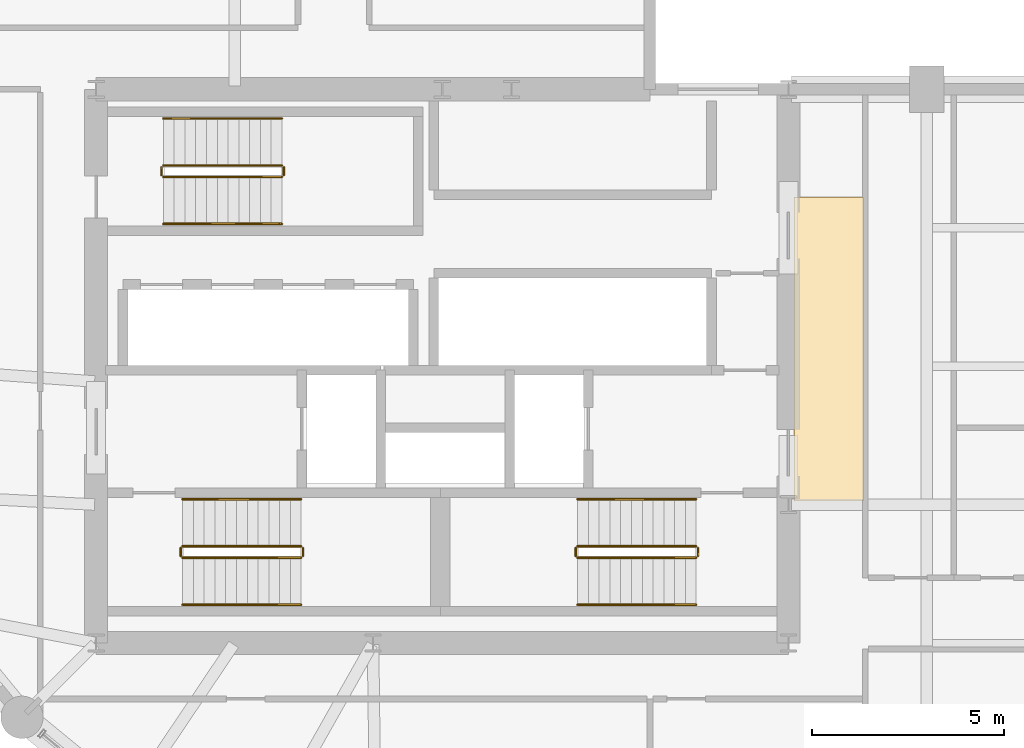
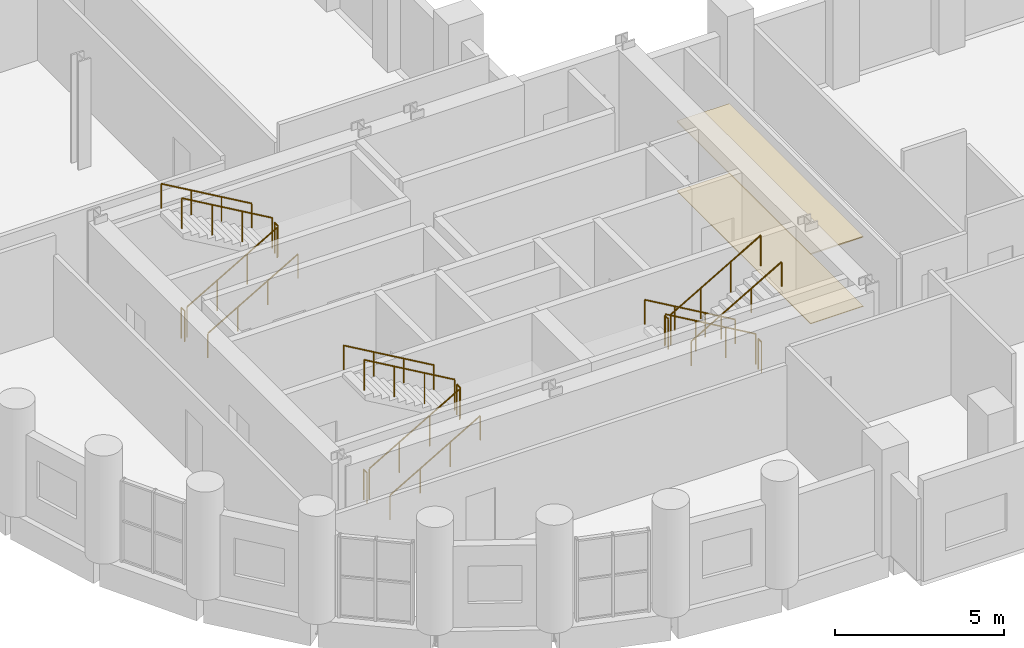
# One storey, part 12 of 12: 18 railings, 2 coverings.
"""IFC4 building model written with IfcOpenShell, lengths in metres."""

from ifc_helpers import new_model, si_unit, direction, frame, origin, origin_2d, place, context, subcontext, project, spatial, polyline, circle, outline, extrude, material, layer, layer_set, type_object, element, save


model = new_model("IFC4")

# Units and contexts
model_context = context("Model", 3, precision=1e-05, world=origin(), true_north=direction((0.0, 1.0)))
body_context = subcontext(model_context, "Body", "Model", "MODEL_VIEW")
ifc_project = project(units=[si_unit("LENGTHUNIT", "METRE"), si_unit("AREAUNIT", "SQUARE_METRE"), si_unit("VOLUMEUNIT", "CUBIC_METRE"), si_unit("PLANEANGLEUNIT", "RADIAN"), si_unit("MASSUNIT", "GRAM", prefix="KILO")], contexts=[model_context])

# Site, building, storey
site_placement = place(None, origin())
site = spatial("IfcSite", under=ifc_project, at=site_placement, CompositionType="ELEMENT")
building_placement = place(site_placement, origin())
building = spatial("IfcBuilding", under=site, at=building_placement, Name="Solnavia Interchange Tower", CompositionType="ELEMENT")
storey_placement = place(building_placement, frame((0.0, 0.0, 27.89990234375)))
storey = spatial("IfcBuildingStorey", under=building, at=storey_placement, Name="L06", CompositionType="ELEMENT", Elevation=27.89990234375)

# Coverings
ifc_material_1 = material(Name="Perforated Mineral-Fibre & Gypsum Ceiling", Category="gypsum")
ifc_layer_1 = layer(ifc_material_1, 0.0400390625)
ifc_layer_set_1 = layer_set([ifc_layer_1], Name="Perforated Mineral-Fibre & Gypsum Ceiling")
covering_type_1 = type_object("IfcCoveringType", Name="Covering-Ceiling-Acoustic40", PredefinedType="CEILING", material=ifc_layer_set_1)
covering_1_placement = place(storey_placement, frame((0.0, 0.0, 2.5)))
element("IfcCovering", 1, at=covering_1_placement, inside=storey, type_object=covering_type_1, Name="CLG-L06-01 Circulation suspended acoustic ceiling", PredefinedType="CEILING", context=body_context, shape_type="SweptSolid", body=[
    extrude(outline(polyline([(32.550048828125, 14.5), (34.35009765625, 14.5), (34.35009765625, 22.39990234375), (32.550048828125, 22.39990234375), (32.550048828125, 14.5)])), origin(), (0.0, 0.0, 1.0), 0.0400390625),
])
ifc_material_2 = material(Name="Polished Alicante Stone Terrazzo", Category="masonry")
ifc_layer_2 = layer(ifc_material_2, 0.02490234375)
ifc_layer_set_2 = layer_set([ifc_layer_2], Name="Polished Alicante Stone Terrazzo")
covering_type_2 = type_object("IfcCoveringType", Name="Covering-Flooring-Terrazzo25", PredefinedType="FLOORING", material=ifc_layer_set_2)
covering_2_placement = place(storey_placement, origin())
element("IfcCovering", 2, at=covering_2_placement, inside=storey, type_object=covering_type_2, Name="FLR-L06-01 Circulation floor finish", PredefinedType="FLOORING", context=body_context, shape_type="SweptSolid", body=[
    extrude(outline(polyline([(32.550048828125, 14.5), (34.35009765625, 14.5), (34.35009765625, 22.39990234375), (32.550048828125, 22.39990234375), (32.550048828125, 14.5)])), origin(), (0.0, 0.0, 1.0), 0.025146484375),
])

# Railings
ifc_material_3 = material(Name="Painted Steel Balustrade", Category="steel")
railing_type_1 = type_object("IfcRailingType", Name="Railing-StairGuard-1100", PredefinedType="GUARDRAIL", material=ifc_material_3)
railing_1_placement = place(storey_placement, frame((16.64990234375, 13.02001953125, 0.16259765625)))
element("IfcRailing", 3, at=railing_1_placement, inside=storey, type_object=railing_type_1, Name="L06 ST-1 stair guard 1", PredefinedType="GUARDRAIL", context=body_context, shape_type="SweptSolid", body=[
    extrude(circle(Radius=0.02392578125, at=origin_2d()), frame((0.0, 0.0, 1.09619140625), z_axis=(0.864890721111, 0.0, 0.501960198159), x_axis=(0.0, 1.0, 0.0)), (0.0, 0.0, 1.0), 3.561279296875),
    extrude(circle(Radius=0.02099609375, at=origin_2d()), origin(), (0.0, 0.0, 1.0), 1.072021484375),
    extrude(circle(Radius=0.02099609375, at=origin_2d()), frame((1.026611328125, 0.0, 0.595947265625)), (0.0, 0.0, 1.0), 1.072021484375),
    extrude(circle(Radius=0.02099609375, at=origin_2d()), frame((2.053466796875, 0.0, 1.191650390625)), (0.0, 0.0, 1.0), 1.072021484375),
    extrude(circle(Radius=0.02099609375, at=origin_2d()), frame((3.080078125, 0.0, 1.78759765625)), (0.0, 0.0, 1.0), 1.072021484375),
])
railing_2_placement = place(storey_placement, frame((19.780029296875, 13.070068359375, 1.9501953125)))
element("IfcRailing", 4, at=railing_2_placement, inside=storey, type_object=railing_type_1, Name="L06 ST-1 stair guard 2", PredefinedType="GUARDRAIL", context=body_context, shape_type="SweptSolid", body=[
    extrude(circle(Radius=0.02392578125, at=origin_2d()), frame((0.0, 0.0, 1.09619140625), z_axis=(0.0, 1.0, 0.0), x_axis=(-1.0, 0.0, 0.0)), (0.0, 0.0, 1.0), 0.199951171875),
    extrude(circle(Radius=0.02099609375, at=origin_2d()), origin(), (0.0, 0.0, 1.0), 1.072021484375),
    extrude(circle(Radius=0.02099609375, at=origin_2d()), frame((0.0, 0.199951171875, 0.0)), (0.0, 0.0, 1.0), 1.072021484375),
])
railing_3_placement = place(storey_placement, frame((19.72998046875, 13.320068359375, 2.112548828125)))
element("IfcRailing", 5, at=railing_3_placement, inside=storey, type_object=railing_type_1, Name="L06 ST-1 stair guard 3", PredefinedType="GUARDRAIL", context=body_context, shape_type="SweptSolid", body=[
    extrude(circle(Radius=0.02392578125, at=origin_2d()), frame((0.0, 0.0, 1.09619140625), z_axis=(-0.864890721111, 0.0, 0.501960198159), x_axis=(0.0, -1.0, 0.0)), (0.0, 0.0, 1.0), 3.561279296875),
    extrude(circle(Radius=0.02099609375, at=origin_2d()), origin(), (0.0, 0.0, 1.0), 1.072021484375),
    extrude(circle(Radius=0.02099609375, at=origin_2d()), frame((-1.026611328125, 0.0, 0.595947265625)), (0.0, 0.0, 1.0), 1.072021484375),
    extrude(circle(Radius=0.02099609375, at=origin_2d()), frame((-2.053466796875, 0.0, 1.191650390625)), (0.0, 0.0, 1.0), 1.072021484375),
    extrude(circle(Radius=0.02099609375, at=origin_2d()), frame((-3.080078125, 0.0, 1.78759765625)), (0.0, 0.0, 1.0), 1.072021484375),
])
railing_4_placement = place(storey_placement, frame((16.60009765625, 13.070068359375, 0.0)))
element("IfcRailing", 6, at=railing_4_placement, inside=storey, type_object=railing_type_1, Name="L06 ST-1 stair guard 4", PredefinedType="GUARDRAIL", context=body_context, shape_type="SweptSolid", body=[
    extrude(circle(Radius=0.02392578125, at=origin_2d()), frame((0.0, 0.0, 1.09619140625), z_axis=(0.0, 1.0, 0.0), x_axis=(-1.0, 0.0, 0.0)), (0.0, 0.0, 1.0), 0.199951171875),
    extrude(circle(Radius=0.02099609375, at=origin_2d()), origin(), (0.0, 0.0, 1.0), 1.072021484375),
    extrude(circle(Radius=0.02099609375, at=origin_2d()), frame((0.0, 0.199951171875, 0.0)), (0.0, 0.0, 1.0), 1.072021484375),
])
railing_5_placement = place(storey_placement, frame((30.0, 13.320068359375, 0.16259765625)))
element("IfcRailing", 7, at=railing_5_placement, inside=storey, type_object=railing_type_1, Name="L06 ST-2 stair guard 1", PredefinedType="GUARDRAIL", context=body_context, shape_type="SweptSolid", body=[
    extrude(circle(Radius=0.02392578125, at=origin_2d()), frame((0.0, 0.0, 1.09619140625), z_axis=(-0.864890721111, 0.0, 0.501960198159), x_axis=(0.0, -1.0, 0.0)), (0.0, 0.0, 1.0), 3.561279296875),
    extrude(circle(Radius=0.02099609375, at=origin_2d()), origin(), (0.0, 0.0, 1.0), 1.072021484375),
    extrude(circle(Radius=0.02099609375, at=origin_2d()), frame((-1.026611328125, 0.0, 0.595947265625)), (0.0, 0.0, 1.0), 1.072021484375),
    extrude(circle(Radius=0.02099609375, at=origin_2d()), frame((-2.053466796875, 0.0, 1.191650390625)), (0.0, 0.0, 1.0), 1.072021484375),
    extrude(circle(Radius=0.02099609375, at=origin_2d()), frame((-3.080078125, 0.0, 1.78759765625)), (0.0, 0.0, 1.0), 1.072021484375),
])
railing_6_placement = place(storey_placement, frame((26.8701171875, 13.27001953125, 1.9501953125)))
element("IfcRailing", 8, at=railing_6_placement, inside=storey, type_object=railing_type_1, Name="L06 ST-2 stair guard 2", PredefinedType="GUARDRAIL", context=body_context, shape_type="SweptSolid", body=[
    extrude(circle(Radius=0.02392578125, at=origin_2d()), frame((0.0, 0.0, 1.09619140625), z_axis=(0.0, -1.0, 0.0), x_axis=(1.0, 0.0, 0.0)), (0.0, 0.0, 1.0), 0.199951171875),
    extrude(circle(Radius=0.02099609375, at=origin_2d()), origin(), (0.0, 0.0, 1.0), 1.072021484375),
    extrude(circle(Radius=0.02099609375, at=origin_2d()), frame((0.0, -0.199951171875, 0.0)), (0.0, 0.0, 1.0), 1.072021484375),
])
railing_7_placement = place(storey_placement, frame((26.919921875, 13.02001953125, 2.112548828125)))
element("IfcRailing", 9, at=railing_7_placement, inside=storey, type_object=railing_type_1, Name="L06 ST-2 stair guard 3", PredefinedType="GUARDRAIL", context=body_context, shape_type="SweptSolid", body=[
    extrude(circle(Radius=0.02392578125, at=origin_2d()), frame((0.0, 0.0, 1.09619140625), z_axis=(0.864890721111, 0.0, 0.501960198159), x_axis=(0.0, 1.0, 0.0)), (0.0, 0.0, 1.0), 3.561279296875),
    extrude(circle(Radius=0.02099609375, at=origin_2d()), origin(), (0.0, 0.0, 1.0), 1.072021484375),
    extrude(circle(Radius=0.02099609375, at=origin_2d()), frame((1.026611328125, 0.0, 0.595947265625)), (0.0, 0.0, 1.0), 1.072021484375),
    extrude(circle(Radius=0.02099609375, at=origin_2d()), frame((2.053466796875, 0.0, 1.191650390625)), (0.0, 0.0, 1.0), 1.072021484375),
    extrude(circle(Radius=0.02099609375, at=origin_2d()), frame((3.080078125, 0.0, 1.78759765625)), (0.0, 0.0, 1.0), 1.072021484375),
])
railing_8_placement = place(storey_placement, frame((30.050048828125, 13.27001953125, 0.0)))
element("IfcRailing", 10, at=railing_8_placement, inside=storey, type_object=railing_type_1, Name="L06 ST-2 stair guard 4", PredefinedType="GUARDRAIL", context=body_context, shape_type="SweptSolid", body=[
    extrude(circle(Radius=0.02392578125, at=origin_2d()), frame((0.0, 0.0, 1.09619140625), z_axis=(0.0, -1.0, 0.0), x_axis=(1.0, 0.0, 0.0)), (0.0, 0.0, 1.0), 0.199951171875),
    extrude(circle(Radius=0.02099609375, at=origin_2d()), origin(), (0.0, 0.0, 1.0), 1.072021484375),
    extrude(circle(Radius=0.02099609375, at=origin_2d()), frame((0.0, -0.199951171875, 0.0)), (0.0, 0.0, 1.0), 1.072021484375),
])
railing_9_placement = place(storey_placement, frame((16.14990234375, 22.919921875, 0.16259765625)))
element("IfcRailing", 11, at=railing_9_placement, inside=storey, type_object=railing_type_1, Name="L06 ST-3 stair guard 1", PredefinedType="GUARDRAIL", context=body_context, shape_type="SweptSolid", body=[
    extrude(circle(Radius=0.02392578125, at=origin_2d()), frame((0.0, 0.0, 1.09619140625), z_axis=(0.864890721111, 0.0, 0.501960198159), x_axis=(0.0, 1.0, 0.0)), (0.0, 0.0, 1.0), 3.561279296875),
    extrude(circle(Radius=0.02099609375, at=origin_2d()), origin(), (0.0, 0.0, 1.0), 1.072021484375),
    extrude(circle(Radius=0.02099609375, at=origin_2d()), frame((1.026611328125, 0.0, 0.595947265625)), (0.0, 0.0, 1.0), 1.072021484375),
    extrude(circle(Radius=0.02099609375, at=origin_2d()), frame((2.053466796875, 0.0, 1.191650390625)), (0.0, 0.0, 1.0), 1.072021484375),
    extrude(circle(Radius=0.02099609375, at=origin_2d()), frame((3.080078125, 0.0, 1.78759765625)), (0.0, 0.0, 1.0), 1.072021484375),
])
railing_10_placement = place(storey_placement, frame((19.280029296875, 22.969970703125, 1.9501953125)))
element("IfcRailing", 12, at=railing_10_placement, inside=storey, type_object=railing_type_1, Name="L06 ST-3 stair guard 2", PredefinedType="GUARDRAIL", context=body_context, shape_type="SweptSolid", body=[
    extrude(circle(Radius=0.02392578125, at=origin_2d()), frame((0.0, 0.0, 1.09619140625), z_axis=(0.0, 1.0, 0.0), x_axis=(-1.0, 0.0, 0.0)), (0.0, 0.0, 1.0), 0.199951171875),
    extrude(circle(Radius=0.02099609375, at=origin_2d()), origin(), (0.0, 0.0, 1.0), 1.072021484375),
    extrude(circle(Radius=0.02099609375, at=origin_2d()), frame((0.0, 0.199951171875, 0.0)), (0.0, 0.0, 1.0), 1.072021484375),
])
railing_11_placement = place(storey_placement, frame((19.22998046875, 23.219970703125, 2.112548828125)))
element("IfcRailing", 13, at=railing_11_placement, inside=storey, type_object=railing_type_1, Name="L06 ST-3 stair guard 3", PredefinedType="GUARDRAIL", context=body_context, shape_type="SweptSolid", body=[
    extrude(circle(Radius=0.02392578125, at=origin_2d()), frame((0.0, 0.0, 1.09619140625), z_axis=(-0.864890721111, 0.0, 0.501960198159), x_axis=(0.0, -1.0, 0.0)), (0.0, 0.0, 1.0), 3.561279296875),
    extrude(circle(Radius=0.02099609375, at=origin_2d()), origin(), (0.0, 0.0, 1.0), 1.072021484375),
    extrude(circle(Radius=0.02099609375, at=origin_2d()), frame((-1.026611328125, 0.0, 0.595947265625)), (0.0, 0.0, 1.0), 1.072021484375),
    extrude(circle(Radius=0.02099609375, at=origin_2d()), frame((-2.053466796875, 0.0, 1.191650390625)), (0.0, 0.0, 1.0), 1.072021484375),
    extrude(circle(Radius=0.02099609375, at=origin_2d()), frame((-3.080078125, 0.0, 1.78759765625)), (0.0, 0.0, 1.0), 1.072021484375),
])
railing_12_placement = place(storey_placement, frame((16.10009765625, 22.969970703125, 0.0)))
element("IfcRailing", 14, at=railing_12_placement, inside=storey, type_object=railing_type_1, Name="L06 ST-3 stair guard 4", PredefinedType="GUARDRAIL", context=body_context, shape_type="SweptSolid", body=[
    extrude(circle(Radius=0.02392578125, at=origin_2d()), frame((0.0, 0.0, 1.09619140625), z_axis=(0.0, 1.0, 0.0), x_axis=(-1.0, 0.0, 0.0)), (0.0, 0.0, 1.0), 0.199951171875),
    extrude(circle(Radius=0.02099609375, at=origin_2d()), origin(), (0.0, 0.0, 1.0), 1.072021484375),
    extrude(circle(Radius=0.02099609375, at=origin_2d()), frame((0.0, 0.199951171875, 0.0)), (0.0, 0.0, 1.0), 1.072021484375),
])
ifc_material_4 = material(Name="Brushed Stainless Steel", Category="steel")
railing_type_2 = type_object("IfcRailingType", Name="Railing-StairHandrail-900", PredefinedType="HANDRAIL", material=ifc_material_4)
railing_13_placement = place(storey_placement, frame((16.64990234375, 11.800048828125, 0.16259765625)))
element("IfcRailing", 15, at=railing_13_placement, inside=storey, type_object=railing_type_2, Name="L06 ST-1 stair handrail 1", PredefinedType="HANDRAIL", context=body_context, shape_type="SweptSolid", body=[
    extrude(circle(Radius=0.02392578125, at=origin_2d()), frame((0.0, 0.0, 0.8759765625), z_axis=(0.864890721111, 0.0, 0.501960198159), x_axis=(0.0, 1.0, 0.0)), (0.0, 0.0, 1.0), 3.561279296875),
    extrude(circle(Radius=0.02099609375, at=origin_2d()), origin(), (0.0, 0.0, 1.0), 0.851806640625),
    extrude(circle(Radius=0.02099609375, at=origin_2d()), frame((1.026611328125, 0.0, 0.595947265625)), (0.0, 0.0, 1.0), 0.851806640625),
    extrude(circle(Radius=0.02099609375, at=origin_2d()), frame((2.053466796875, 0.0, 1.191650390625)), (0.0, 0.0, 1.0), 0.851806640625),
    extrude(circle(Radius=0.02099609375, at=origin_2d()), frame((3.080078125, 0.0, 1.78759765625)), (0.0, 0.0, 1.0), 0.851806640625),
])
for number, where, name in (
    (16, (19.72998046875, 14.5400390625, 2.112548828125), "L06 ST-1 stair handrail 2"),
    (17, (30.0, 14.5400390625, 0.16259765625), "L06 ST-2 stair handrail 1"),
):
    element("IfcRailing", number, at=place(storey_placement, frame(where)), inside=storey, type_object=railing_type_2, Name=name, PredefinedType="HANDRAIL", context=body_context, shape_type="SweptSolid", body=[
        extrude(circle(Radius=0.02392578125, at=origin_2d()), frame((0.0, 0.0, 0.8759765625), z_axis=(-0.864890721111, 0.0, 0.501960198159), x_axis=(0.0, -1.0, 0.0)), (0.0, 0.0, 1.0), 3.561279296875),
        extrude(circle(Radius=0.02099609375, at=origin_2d()), origin(), (0.0, 0.0, 1.0), 0.851806640625),
        extrude(circle(Radius=0.02099609375, at=origin_2d()), frame((-1.026611328125, 0.0, 0.595947265625)), (0.0, 0.0, 1.0), 0.851806640625),
        extrude(circle(Radius=0.02099609375, at=origin_2d()), frame((-2.053466796875, 0.0, 1.191650390625)), (0.0, 0.0, 1.0), 0.851806640625),
        extrude(circle(Radius=0.02099609375, at=origin_2d()), frame((-3.080078125, 0.0, 1.78759765625)), (0.0, 0.0, 1.0), 0.851806640625),
    ])
for number, where, name in (
    (18, (26.919921875, 11.800048828125, 2.112548828125), "L06 ST-2 stair handrail 2"),
    (19, (16.14990234375, 21.699951171875, 0.16259765625), "L06 ST-3 stair handrail 1"),
):
    element("IfcRailing", number, at=place(storey_placement, frame(where)), inside=storey, type_object=railing_type_2, Name=name, PredefinedType="HANDRAIL", context=body_context, shape_type="SweptSolid", body=[
        extrude(circle(Radius=0.02392578125, at=origin_2d()), frame((0.0, 0.0, 0.8759765625), z_axis=(0.864890721111, 0.0, 0.501960198159), x_axis=(0.0, 1.0, 0.0)), (0.0, 0.0, 1.0), 3.561279296875),
        extrude(circle(Radius=0.02099609375, at=origin_2d()), origin(), (0.0, 0.0, 1.0), 0.851806640625),
        extrude(circle(Radius=0.02099609375, at=origin_2d()), frame((1.026611328125, 0.0, 0.595947265625)), (0.0, 0.0, 1.0), 0.851806640625),
        extrude(circle(Radius=0.02099609375, at=origin_2d()), frame((2.053466796875, 0.0, 1.191650390625)), (0.0, 0.0, 1.0), 0.851806640625),
        extrude(circle(Radius=0.02099609375, at=origin_2d()), frame((3.080078125, 0.0, 1.78759765625)), (0.0, 0.0, 1.0), 0.851806640625),
    ])
railing_14_placement = place(storey_placement, frame((19.22998046875, 24.43994140625, 2.112548828125)))
element("IfcRailing", 20, at=railing_14_placement, inside=storey, type_object=railing_type_2, Name="L06 ST-3 stair handrail 2", PredefinedType="HANDRAIL", context=body_context, shape_type="SweptSolid", body=[
    extrude(circle(Radius=0.02392578125, at=origin_2d()), frame((0.0, 0.0, 0.8759765625), z_axis=(-0.864890721111, 0.0, 0.501960198159), x_axis=(0.0, -1.0, 0.0)), (0.0, 0.0, 1.0), 3.561279296875),
    extrude(circle(Radius=0.02099609375, at=origin_2d()), origin(), (0.0, 0.0, 1.0), 0.851806640625),
    extrude(circle(Radius=0.02099609375, at=origin_2d()), frame((-1.026611328125, 0.0, 0.595947265625)), (0.0, 0.0, 1.0), 0.851806640625),
    extrude(circle(Radius=0.02099609375, at=origin_2d()), frame((-2.053466796875, 0.0, 1.191650390625)), (0.0, 0.0, 1.0), 0.851806640625),
    extrude(circle(Radius=0.02099609375, at=origin_2d()), frame((-3.080078125, 0.0, 1.78759765625)), (0.0, 0.0, 1.0), 0.851806640625),
])

save(model, "model.ifc")
